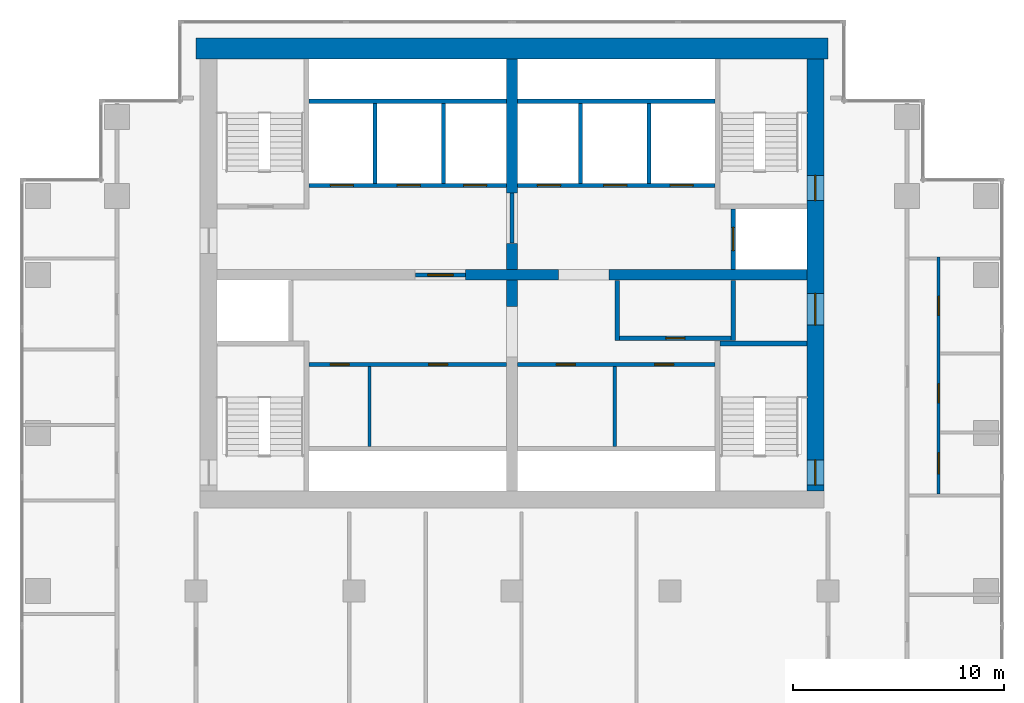
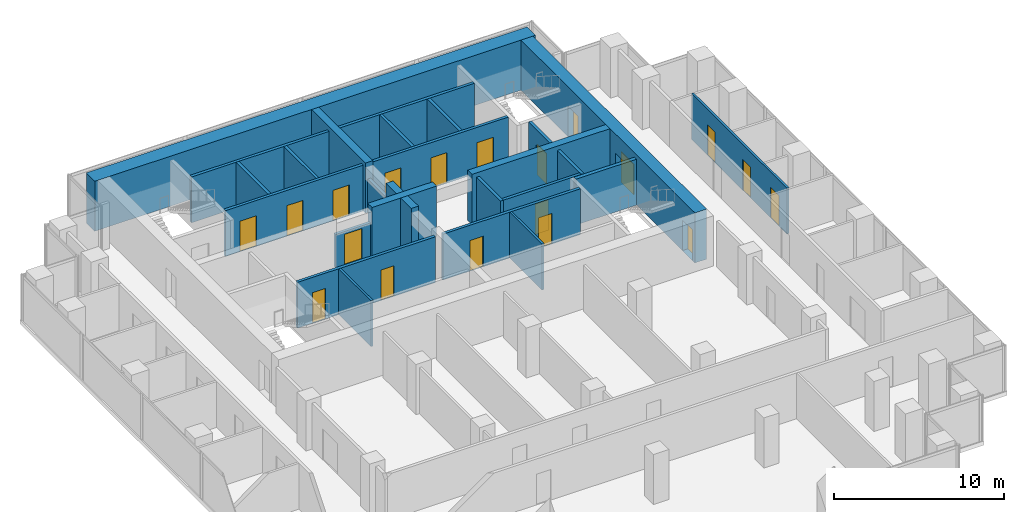
# One storey, part 8 of 10: 27 walls, 19 doors, 19 openings.
"""IFC4 building model written with IfcOpenShell, lengths in metres."""

from ifc_helpers import new_model, si_unit, direction, frame, frame_2d, origin, place, context, subcontext, project, spatial, rectangle, extrude, material, layer, layer_set, type_object, element, fill, save


model = new_model("IFC4")

# Units and contexts
model_context = context("Model", 3, precision=1e-05, world=origin(), true_north=direction((0.0, 1.0)))
body_context = subcontext(model_context, "Body", "Model", "MODEL_VIEW")
ifc_project = project(units=[si_unit("LENGTHUNIT", "METRE"), si_unit("AREAUNIT", "SQUARE_METRE"), si_unit("VOLUMEUNIT", "CUBIC_METRE"), si_unit("PLANEANGLEUNIT", "RADIAN"), si_unit("MASSUNIT", "GRAM", prefix="KILO")], contexts=[model_context])

# Site, building, storey
site_placement = place(None, origin())
site = spatial("IfcSite", under=ifc_project, at=site_placement, CompositionType="ELEMENT")
building_placement = place(site_placement, origin())
building = spatial("IfcBuilding", under=site, at=building_placement, Name="Pilkhan Gate Tower", CompositionType="ELEMENT")
storey_placement = place(building_placement, frame((0.0, 0.0, 176.5)))
storey = spatial("IfcBuildingStorey", under=building, at=storey_placement, Name="L45", CompositionType="ELEMENT", Elevation=176.5)

# Wall
ifc_material_1 = material(Name="Concrete C60/75", Category="concrete")
ifc_layer_1 = layer(ifc_material_1, 1.0)
ifc_layer_set_1 = layer_set([ifc_layer_1], Name="Core wall CW1000 C60/75")
wall_type_1 = type_object("IfcWallType", Name="Core wall CW1000 C60/75", PredefinedType="SHEAR", material=ifc_layer_set_1)
wall_1_placement = place(storey_placement, frame((90.0, 93.25, 0.0), z_axis=(0.0, 0.0, 1.0), x_axis=(-1.0, 0.0, 0.0)))
element("IfcWall", 1, at=wall_1_placement, inside=storey, type_object=wall_type_1, Name="Core wall N L45", PredefinedType="SHEAR", context=body_context, shape_type="SweptSolid", body=[
    extrude(rectangle(XDim=30.0, YDim=1.0, at=frame_2d((15.0, 0.0))), origin(), (0.0, 0.0, 1.0), 3.60009765625),
])

# Wall, openings, doors
ifc_layer_2 = layer(ifc_material_1, 0.800048828125)
ifc_layer_set_2 = layer_set([ifc_layer_2], Name="Core wall CW800 C60/75")
wall_type_2 = type_object("IfcWallType", Name="Core wall CW800 C60/75", PredefinedType="SHEAR", material=ifc_layer_set_2)
wall_2_placement = place(storey_placement, frame((89.39990234375, 72.25, 0.0), z_axis=(0.0, 0.0, 1.0), x_axis=(0.0, 1.0, 0.0)))
wall_2 = element("IfcWall", 2, at=wall_2_placement, inside=storey, type_object=wall_type_2, Name="Core wall E L45", PredefinedType="SHEAR", context=body_context, shape_type="SweptSolid", body=[
    extrude(rectangle(XDim=20.5, YDim=0.800048828125, at=frame_2d((10.25, 0.0))), origin(), (0.0, 0.0, 1.0), 3.60009765625),
])
opening_1_placement = place(wall_2_placement, frame((0.27490234375, 0.0, 0.0)))
opening_1 = element("IfcOpeningElement", 3, at=opening_1_placement, cuts=wall_2, Name="Opening L45-03", PredefinedType="OPENING", context=body_context, shape_type="SweptSolid", body=[
    extrude(rectangle(XDim=1.199951171875, YDim=2.199951171875, at=frame_2d((0.60009765625, 1.10009765625))), frame((0.0, 0.409912109375, 0.0), z_axis=(0.0, -1.0, 0.0), x_axis=(1.0, 0.0, 0.0)), (0.0, 0.0, 1.0), 0.820068359375),
])
opening_2_placement = place(wall_2_placement, frame((13.77490234375, 0.0, 0.0)))
opening_2 = element("IfcOpeningElement", 4, at=opening_2_placement, cuts=wall_2, Name="Opening L45-05", PredefinedType="OPENING", context=body_context, shape_type="SweptSolid", body=[
    extrude(rectangle(XDim=1.199951171875, YDim=2.199951171875, at=frame_2d((0.60009765625, 1.10009765625))), frame((0.0, 0.409912109375, 0.0), z_axis=(0.0, -1.0, 0.0), x_axis=(1.0, 0.0, 0.0)), (0.0, 0.0, 1.0), 0.820068359375),
])
opening_3_placement = place(wall_2_placement, frame((7.875, 0.0, 0.0)))
opening_3 = element("IfcOpeningElement", 5, at=opening_3_placement, cuts=wall_2, Name="Opening L45-08", PredefinedType="OPENING", context=body_context, shape_type="SweptSolid", body=[
    extrude(rectangle(XDim=1.5, YDim=2.199951171875, at=frame_2d((0.75, 1.10009765625))), frame((0.0, 0.409912109375, 0.0), z_axis=(0.0, -1.0, 0.0), x_axis=(1.0, 0.0, 0.0)), (0.0, 0.0, 1.0), 0.820068359375),
])
ifc_material_2 = material(Name="Steel framed glazed door, 60 minute fire resisting", Category="steel")
door_type_1 = type_object("IfcDoorType", Name="Lobby door D09 1500x2200", OperationType="DOUBLE_DOOR_SINGLE_SWING", PredefinedType="DOOR", material=ifc_material_2)
door_1_placement = place(opening_3_placement, origin())
door_1 = element("IfcDoor", 6, at=door_1_placement, inside=storey, type_object=door_type_1, Name="Core door", OperationType="DOUBLE_DOOR_SINGLE_SWING", OverallHeight=2.199951171875, OverallWidth=1.5, PredefinedType="DOOR", context=body_context, shape_type="SweptSolid", body=[
    extrude(rectangle(XDim=1.5, YDim=2.199951171875, at=frame_2d((0.75, 1.10009765625))), frame((0.0, 0.02490234375, 0.0), z_axis=(0.0, -1.0, 0.0), x_axis=(1.0, 0.0, 0.0)), (0.0, 0.0, 1.0), 0.050048828125),
])
fill(opening_3, door_1)
ifc_material_3 = material(Name="Steel door, 120 minute fire resisting, panic bar", Category="steel")
door_type_2 = type_object("IfcDoorType", Name="Stair door D11 1200x2200", OperationType="SINGLE_SWING_LEFT", PredefinedType="DOOR", material=ifc_material_3)
door_2_placement = place(opening_1_placement, origin())
door_2 = element("IfcDoor", 7, at=door_2_placement, inside=storey, type_object=door_type_2, Name="Stair ST1 door", OperationType="SINGLE_SWING_LEFT", OverallHeight=2.199951171875, OverallWidth=1.199951171875, PredefinedType="DOOR", context=body_context, shape_type="SweptSolid", body=[
    extrude(rectangle(XDim=1.199951171875, YDim=2.199951171875, at=frame_2d((0.60009765625, 1.10009765625))), frame((0.0, 0.02490234375, 0.0), z_axis=(0.0, -1.0, 0.0), x_axis=(1.0, 0.0, 0.0)), (0.0, 0.0, 1.0), 0.050048828125),
])
fill(opening_1, door_2)
door_3_placement = place(opening_2_placement, origin())
door_3 = element("IfcDoor", 8, at=door_3_placement, inside=storey, type_object=door_type_2, Name="Stair ST4 door", OperationType="SINGLE_SWING_LEFT", OverallHeight=2.199951171875, OverallWidth=1.199951171875, PredefinedType="DOOR", context=body_context, shape_type="SweptSolid", body=[
    extrude(rectangle(XDim=1.199951171875, YDim=2.199951171875, at=frame_2d((0.60009765625, 1.10009765625))), frame((0.0, 0.02490234375, 0.0), z_axis=(0.0, -1.0, 0.0), x_axis=(1.0, 0.0, 0.0)), (0.0, 0.0, 1.0), 0.050048828125),
])
fill(opening_2, door_3)

ifc_material_4 = material(Name="Dense blockwork", Category="masonry")
ifc_layer_3 = layer(ifc_material_4, 0.199951171875)
ifc_layer_set_3 = layer_set([ifc_layer_3], Name="Lobby wall LW200")
wall_type_3 = type_object("IfcWallType", Name="Lobby wall LW200", PredefinedType="PARTITIONING", material=ifc_layer_set_3)
wall_3_placement = place(storey_placement, frame((65.375, 78.25, 0.0), z_axis=(0.0, 0.0, 1.0), x_axis=(1.0, 0.0, 0.0)))
wall_3 = element("IfcWall", 9, at=wall_3_placement, inside=storey, type_object=wall_type_3, Name="Partition L45", PredefinedType="PARTITIONING", context=body_context, shape_type="SweptSolid", body=[
    extrude(rectangle(XDim=9.364990234375, YDim=0.199951171875, at=frame_2d((4.6826171875, 0.0))), origin(), (0.0, 0.0, 1.0), 3.300048828125),
])
opening_4_placement = place(wall_3_placement, frame((1.0, 0.0, 0.0)))
opening_4 = element("IfcOpeningElement", 10, at=opening_4_placement, cuts=wall_3, Name="Opening L45-11", PredefinedType="OPENING", context=body_context, shape_type="SweptSolid", body=[
    extrude(rectangle(XDim=0.89990234375, YDim=2.199951171875, at=frame_2d((0.449951171875, 1.10009765625))), frame((0.0, 0.10986328125, 0.0), z_axis=(0.0, -1.0, 0.0), x_axis=(1.0, 0.0, 0.0)), (0.0, 0.0, 1.0), 0.219970703125),
])
opening_5_placement = place(wall_3_placement, frame((5.6650390625, 0.0, 0.0)))
opening_5 = element("IfcOpeningElement", 11, at=opening_5_placement, cuts=wall_3, Name="Opening L45-12", PredefinedType="OPENING", context=body_context, shape_type="SweptSolid", body=[
    extrude(rectangle(XDim=0.89990234375, YDim=2.199951171875, at=frame_2d((0.449951171875, 1.10009765625))), frame((0.0, 0.10986328125, 0.0), z_axis=(0.0, -1.0, 0.0), x_axis=(1.0, 0.0, 0.0)), (0.0, 0.0, 1.0), 0.219970703125),
])
ifc_material_5 = material(Name="Timber flush door, 60 minute fire resisting, self-closing", Category="wood")
door_type_3 = type_object("IfcDoorType", Name="Store door D05 900x2200", OperationType="SINGLE_SWING_LEFT", PredefinedType="DOOR", material=ifc_material_5)
door_4_placement = place(opening_4_placement, origin())
door_4 = element("IfcDoor", 12, at=door_4_placement, inside=storey, type_object=door_type_3, Name="Store door", OperationType="SINGLE_SWING_LEFT", OverallHeight=2.199951171875, OverallWidth=0.89990234375, PredefinedType="DOOR", context=body_context, shape_type="SweptSolid", body=[
    extrude(rectangle(XDim=0.89990234375, YDim=2.199951171875, at=frame_2d((0.449951171875, 1.10009765625))), frame((0.0, 0.02490234375, 0.0), z_axis=(0.0, -1.0, 0.0), x_axis=(1.0, 0.0, 0.0)), (0.0, 0.0, 1.0), 0.050048828125),
])
fill(opening_4, door_4)
door_5_placement = place(opening_5_placement, origin())
door_5 = element("IfcDoor", 13, at=door_5_placement, inside=storey, type_object=door_type_3, Name="Store door", OperationType="SINGLE_SWING_RIGHT", OverallHeight=2.199951171875, OverallWidth=0.89990234375, PredefinedType="DOOR", context=body_context, shape_type="SweptSolid", body=[
    extrude(rectangle(XDim=0.89990234375, YDim=2.199951171875, at=frame_2d((0.449951171875, 1.10009765625))), frame((0.0, 0.02490234375, 0.0), z_axis=(0.0, -1.0, 0.0), x_axis=(1.0, 0.0, 0.0)), (0.0, 0.0, 1.0), 0.050048828125),
])
fill(opening_5, door_5)

wall_4_placement = place(storey_placement, frame((75.260009765625, 78.25, 0.0), z_axis=(0.0, 0.0, 1.0), x_axis=(1.0, 0.0, 0.0)))
wall_4 = element("IfcWall", 14, at=wall_4_placement, inside=storey, type_object=wall_type_3, Name="Partition L45", PredefinedType="PARTITIONING", context=body_context, shape_type="SweptSolid", body=[
    extrude(rectangle(XDim=9.364990234375, YDim=0.199951171875, at=frame_2d((4.6826171875, 0.0))), origin(), (0.0, 0.0, 1.0), 3.300048828125),
])
opening_6_placement = place(wall_4_placement, frame((1.85009765625, 0.0, 0.0)))
opening_6 = element("IfcOpeningElement", 15, at=opening_6_placement, cuts=wall_4, Name="Opening L45-13", PredefinedType="OPENING", context=body_context, shape_type="SweptSolid", body=[
    extrude(rectangle(XDim=0.89990234375, YDim=2.199951171875, at=frame_2d((0.449951171875, 1.10009765625))), frame((0.0, 0.10986328125, 0.0), z_axis=(0.0, -1.0, 0.0), x_axis=(1.0, 0.0, 0.0)), (0.0, 0.0, 1.0), 0.219970703125),
])
opening_7_placement = place(wall_4_placement, frame((6.514892578125, 0.0, 0.0)))
opening_7 = element("IfcOpeningElement", 16, at=opening_7_placement, cuts=wall_4, Name="Opening L45-14", PredefinedType="OPENING", context=body_context, shape_type="SweptSolid", body=[
    extrude(rectangle(XDim=0.89990234375, YDim=2.199951171875, at=frame_2d((0.449951171875, 1.10009765625))), frame((0.0, 0.10986328125, 0.0), z_axis=(0.0, -1.0, 0.0), x_axis=(1.0, 0.0, 0.0)), (0.0, 0.0, 1.0), 0.219970703125),
])
door_6_placement = place(opening_6_placement, origin())
door_6 = element("IfcDoor", 17, at=door_6_placement, inside=storey, type_object=door_type_3, Name="Store door", OperationType="SINGLE_SWING_LEFT", OverallHeight=2.199951171875, OverallWidth=0.89990234375, PredefinedType="DOOR", context=body_context, shape_type="SweptSolid", body=[
    extrude(rectangle(XDim=0.89990234375, YDim=2.199951171875, at=frame_2d((0.449951171875, 1.10009765625))), frame((0.0, 0.02490234375, 0.0), z_axis=(0.0, -1.0, 0.0), x_axis=(1.0, 0.0, 0.0)), (0.0, 0.0, 1.0), 0.050048828125),
])
fill(opening_6, door_6)
door_7_placement = place(opening_7_placement, origin())
door_7 = element("IfcDoor", 18, at=door_7_placement, inside=storey, type_object=door_type_3, Name="Store door", OperationType="SINGLE_SWING_LEFT", OverallHeight=2.199951171875, OverallWidth=0.89990234375, PredefinedType="DOOR", context=body_context, shape_type="SweptSolid", body=[
    extrude(rectangle(XDim=0.89990234375, YDim=2.199951171875, at=frame_2d((0.449951171875, 1.10009765625))), frame((0.0, 0.02490234375, 0.0), z_axis=(0.0, -1.0, 0.0), x_axis=(1.0, 0.0, 0.0)), (0.0, 0.0, 1.0), 0.050048828125),
])
fill(opening_7, door_7)

# Wall, opening, door
wall_5_placement = place(storey_placement, frame((80.10009765625, 79.5, 0.0), z_axis=(0.0, 0.0, 1.0), x_axis=(1.0, 0.0, 0.0)))
wall_5 = element("IfcWall", 19, at=wall_5_placement, inside=storey, type_object=wall_type_3, Name="Partition L45", PredefinedType="PARTITIONING", context=body_context, shape_type="SweptSolid", body=[
    extrude(rectangle(XDim=5.2998046875, YDim=0.199951171875, at=frame_2d((2.64990234375, 0.0))), origin(), (0.0, 0.0, 1.0), 3.300048828125),
])
opening_8_placement = place(wall_5_placement, frame((2.199951171875, 0.0, 0.0)))
opening_8 = element("IfcOpeningElement", 20, at=opening_8_placement, cuts=wall_5, Name="Opening L45-09", PredefinedType="OPENING", context=body_context, shape_type="SweptSolid", body=[
    extrude(rectangle(XDim=0.89990234375, YDim=2.199951171875, at=frame_2d((0.449951171875, 1.10009765625))), frame((0.0, 0.10986328125, 0.0), z_axis=(0.0, -1.0, 0.0), x_axis=(1.0, 0.0, 0.0)), (0.0, 0.0, 1.0), 0.219970703125),
])
door_8_placement = place(opening_8_placement, origin())
door_8 = element("IfcDoor", 21, at=door_8_placement, inside=storey, type_object=door_type_3, Name="Store door", OperationType="SINGLE_SWING_LEFT", OverallHeight=2.199951171875, OverallWidth=0.89990234375, PredefinedType="DOOR", context=body_context, shape_type="SweptSolid", body=[
    extrude(rectangle(XDim=0.89990234375, YDim=2.199951171875, at=frame_2d((0.449951171875, 1.10009765625))), frame((0.0, 0.02490234375, 0.0), z_axis=(0.0, -1.0, 0.0), x_axis=(1.0, 0.0, 0.0)), (0.0, 0.0, 1.0), 0.050048828125),
])
fill(opening_8, door_8)

wall_6_placement = place(storey_placement, frame((70.409912109375, 82.5, 0.0), z_axis=(0.0, 0.0, 1.0), x_axis=(1.0, 0.0, 0.0)))
wall_6 = element("IfcWall", 22, at=wall_6_placement, inside=storey, type_object=wall_type_3, Name="Partition L45", PredefinedType="PARTITIONING", context=body_context, shape_type="SweptSolid", body=[
    extrude(rectangle(XDim=2.380126953125, YDim=0.199951171875, at=frame_2d((1.18994140625, 0.0))), origin(), (0.0, 0.0, 1.0), 2.39990234375),
])
opening_9_placement = place(wall_6_placement, frame((0.60009765625, 0.0, 0.0)))
opening_9 = element("IfcOpeningElement", 23, at=opening_9_placement, cuts=wall_6, Name="Opening L45-01", PredefinedType="OPENING", context=body_context, shape_type="SweptSolid", body=[
    extrude(rectangle(XDim=1.199951171875, YDim=2.199951171875, at=frame_2d((0.60009765625, 1.10009765625))), frame((0.0, 0.10986328125, 0.0), z_axis=(0.0, -1.0, 0.0), x_axis=(1.0, 0.0, 0.0)), (0.0, 0.0, 1.0), 0.219970703125),
])
ifc_material_6 = material(Name="Steel door, 120 minute fire resisting, self-closing", Category="steel")
door_type_4 = type_object("IfcDoorType", Name="Firefighting lobby door D10 1200x2200", OperationType="SINGLE_SWING_LEFT", PredefinedType="DOOR", material=ifc_material_6)
door_9_placement = place(opening_9_placement, origin())
door_9 = element("IfcDoor", 24, at=door_9_placement, inside=storey, type_object=door_type_4, Name="Firefighting lobby door", OperationType="SINGLE_SWING_LEFT", OverallHeight=2.199951171875, OverallWidth=1.199951171875, PredefinedType="DOOR", context=body_context, shape_type="SweptSolid", body=[
    extrude(rectangle(XDim=1.199951171875, YDim=2.199951171875, at=frame_2d((0.60009765625, 1.10009765625))), frame((0.0, 0.02490234375, 0.0), z_axis=(0.0, -1.0, 0.0), x_axis=(1.0, 0.0, 0.0)), (0.0, 0.0, 1.0), 0.050048828125),
])
fill(opening_9, door_9)

# Walls
wall_7_placement = place(storey_placement, frame((75.0, 84.010009765625, 0.0), z_axis=(0.0, 0.0, 1.0), x_axis=(0.0, 1.0, 0.0)))
element("IfcWall", 25, at=wall_7_placement, inside=storey, type_object=wall_type_3, Name="Partition L45", PredefinedType="PARTITIONING", context=body_context, shape_type="SweptSolid", body=[
    extrude(rectangle(XDim=2.3798828125, YDim=0.199951171875, at=frame_2d((1.18994140625, 0.0))), origin(), (0.0, 0.0, 1.0), 2.39990234375),
])
for number, where, z_axis, x_axis, name in (
    (26, (80.0, 79.39990234375, 0.0), (0.0, 0.0, 1.0), (0.0, 1.0, 0.0), "Partition L45"),
    (27, (85.5, 79.39990234375, 0.0), (0.0, 0.0, 1.0), (0.0, 1.0, 0.0), "Partition L45"),
):
    element("IfcWall", number, at=place(storey_placement, frame(where, z_axis=z_axis, x_axis=x_axis)), inside=storey, type_object=wall_type_3, Name=name, PredefinedType="PARTITIONING", context=body_context, shape_type="SweptSolid", body=[
        extrude(rectangle(XDim=2.840087890625, YDim=0.199951171875, at=frame_2d((1.419921875, 0.0))), origin(), (0.0, 0.0, 1.0), 3.300048828125),
    ])
ifc_material_7 = material(Name="Blockwork partition, plastered both sides", Category="masonry")
ifc_layer_4 = layer(ifc_material_7, 0.14990234375)
ifc_layer_set_4 = layer_set([ifc_layer_4], Name="Partition PW150")
wall_type_4 = type_object("IfcWallType", Name="Partition PW150", PredefinedType="PARTITIONING", material=ifc_layer_set_4)
for number, where, z_axis, x_axis, name in (
    (28, (68.239990234375, 74.35009765625, 0.0), (0.0, 0.0, 1.0), (0.0, 1.0, 0.0), "Partition L45"),
    (29, (79.875, 74.35009765625, 0.0), (0.0, 0.0, 1.0), (0.0, 1.0, 0.0), "Partition L45"),
):
    element("IfcWall", number, at=place(storey_placement, frame(where, z_axis=z_axis, x_axis=x_axis)), inside=storey, type_object=wall_type_4, Name=name, PredefinedType="PARTITIONING", context=body_context, shape_type="SweptSolid", body=[
        extrude(rectangle(XDim=3.7998046875, YDim=0.14990234375, at=frame_2d((1.89990234375, 0.0))), origin(), (0.0, 0.0, 1.0), 3.300048828125),
    ])

# Wall, openings, doors
wall_8_placement = place(storey_placement, frame((95.25, 72.10498046875, 0.0), z_axis=(0.0, 0.0, 1.0), x_axis=(0.0, 1.0, 0.0)))
wall_8 = element("IfcWall", 30, at=wall_8_placement, inside=storey, type_object=wall_type_4, Name="Partition L45", PredefinedType="PARTITIONING", context=body_context, shape_type="SweptSolid", body=[
    extrude(rectangle(XDim=11.25, YDim=0.14990234375, at=frame_2d((5.625, 0.0))), origin(), (0.0, 0.0, 1.0), 3.300048828125),
])
opening_10_placement = place(wall_8_placement, frame((0.949951171875, 0.0, 0.0)))
opening_10 = element("IfcOpeningElement", 31, at=opening_10_placement, cuts=wall_8, Name="Opening L45-23", PredefinedType="OPENING", context=body_context, shape_type="SweptSolid", body=[
    extrude(rectangle(XDim=1.0, YDim=2.199951171875, at=frame_2d((0.5, 1.10009765625))), frame((0.0, 0.0849609375, 0.0), z_axis=(0.0, -1.0, 0.0), x_axis=(1.0, 0.0, 0.0)), (0.0, 0.0, 1.0), 0.169921875),
])
opening_11_placement = place(wall_8_placement, frame((4.324951171875, 0.0, 0.0)))
opening_11 = element("IfcOpeningElement", 32, at=opening_11_placement, cuts=wall_8, Name="Opening L45-24", PredefinedType="OPENING", context=body_context, shape_type="SweptSolid", body=[
    extrude(rectangle(XDim=0.89990234375, YDim=2.199951171875, at=frame_2d((0.449951171875, 1.10009765625))), frame((0.0, 0.0849609375, 0.0), z_axis=(0.0, -1.0, 0.0), x_axis=(1.0, 0.0, 0.0)), (0.0, 0.0, 1.0), 0.169921875),
])
opening_12_placement = place(wall_8_placement, frame((8.47509765625, 0.0, 0.0)))
opening_12 = element("IfcOpeningElement", 33, at=opening_12_placement, cuts=wall_8, Name="Opening L45-25", PredefinedType="OPENING", context=body_context, shape_type="SweptSolid", body=[
    extrude(rectangle(XDim=0.89990234375, YDim=2.199951171875, at=frame_2d((0.449951171875, 1.10009765625))), frame((0.0, 0.0849609375, 0.0), z_axis=(0.0, -1.0, 0.0), x_axis=(1.0, 0.0, 0.0)), (0.0, 0.0, 1.0), 0.169921875),
])
ifc_material_8 = material(Name="Timber flush door, outward opening, 30 minute fire resisting", Category="wood")
door_type_5 = type_object("IfcDoorType", Name="Accessible toilet door D07 1000x2200", OperationType="SINGLE_SWING_LEFT", PredefinedType="DOOR", material=ifc_material_8)
door_10_placement = place(opening_10_placement, origin())
door_10 = element("IfcDoor", 34, at=door_10_placement, inside=storey, type_object=door_type_5, Name="Accessible toilet door", OperationType="SINGLE_SWING_LEFT", OverallHeight=2.199951171875, OverallWidth=1.0, PredefinedType="DOOR", context=body_context, shape_type="SweptSolid", body=[
    extrude(rectangle(XDim=1.0, YDim=2.199951171875, at=frame_2d((0.5, 1.10009765625))), frame((0.0, 0.02490234375, 0.0), z_axis=(0.0, -1.0, 0.0), x_axis=(1.0, 0.0, 0.0)), (0.0, 0.0, 1.0), 0.050048828125),
])
fill(opening_10, door_10)
ifc_material_9 = material(Name="Timber flush door, 30 minute fire resisting", Category="wood")
door_type_6 = type_object("IfcDoorType", Name="Toilet door D06 900x2200", OperationType="SINGLE_SWING_LEFT", PredefinedType="DOOR", material=ifc_material_9)
door_11_placement = place(opening_11_placement, origin())
door_11 = element("IfcDoor", 35, at=door_11_placement, inside=storey, type_object=door_type_6, Name="Toilet door", OperationType="SINGLE_SWING_LEFT", OverallHeight=2.199951171875, OverallWidth=0.89990234375, PredefinedType="DOOR", context=body_context, shape_type="SweptSolid", body=[
    extrude(rectangle(XDim=0.89990234375, YDim=2.199951171875, at=frame_2d((0.449951171875, 1.10009765625))), frame((0.0, 0.02490234375, 0.0), z_axis=(0.0, -1.0, 0.0), x_axis=(1.0, 0.0, 0.0)), (0.0, 0.0, 1.0), 0.050048828125),
])
fill(opening_11, door_11)
door_12_placement = place(opening_12_placement, origin())
door_12 = element("IfcDoor", 36, at=door_12_placement, inside=storey, type_object=door_type_6, Name="Toilet door", OperationType="SINGLE_SWING_LEFT", OverallHeight=2.199951171875, OverallWidth=0.89990234375, PredefinedType="DOOR", context=body_context, shape_type="SweptSolid", body=[
    extrude(rectangle(XDim=0.89990234375, YDim=2.199951171875, at=frame_2d((0.449951171875, 1.10009765625))), frame((0.0, 0.02490234375, 0.0), z_axis=(0.0, -1.0, 0.0), x_axis=(1.0, 0.0, 0.0)), (0.0, 0.0, 1.0), 0.050048828125),
])
fill(opening_12, door_12)

ifc_material_10 = material(Name="Reinforced blockwork shaft wall, 120 minute fire resisting", Category="masonry")
ifc_layer_5 = layer(ifc_material_10, 0.199951171875)
ifc_layer_set_5 = layer_set([ifc_layer_5], Name="Shaft wall SW200")
wall_type_5 = type_object("IfcWallType", Name="Shaft wall SW200", PredefinedType="PARTITIONING", material=ifc_layer_set_5)
wall_9_placement = place(storey_placement, frame((65.375, 86.75, 0.0), z_axis=(0.0, 0.0, 1.0), x_axis=(1.0, 0.0, 0.0)))
wall_9 = element("IfcWall", 37, at=wall_9_placement, inside=storey, type_object=wall_type_5, Name="Partition L45", PredefinedType="PARTITIONING", context=body_context, shape_type="SweptSolid", body=[
    extrude(rectangle(XDim=9.364990234375, YDim=0.199951171875, at=frame_2d((4.6826171875, 0.0))), origin(), (0.0, 0.0, 1.0), 3.300048828125),
])
opening_13_placement = place(wall_9_placement, frame((1.0, 0.0, 0.0)))
opening_13 = element("IfcOpeningElement", 38, at=opening_13_placement, cuts=wall_9, Name="Opening LD", PredefinedType="OPENING", context=body_context, shape_type="SweptSolid", body=[
    extrude(rectangle(XDim=1.10009765625, YDim=2.199951171875, at=frame_2d((0.550048828125, 1.10009765625))), frame((0.0, 0.10986328125, 0.0), z_axis=(0.0, -1.0, 0.0), x_axis=(1.0, 0.0, 0.0)), (0.0, 0.0, 1.0), 0.219970703125),
])
opening_14_placement = place(wall_9_placement, frame((4.175048828125, 0.0, 0.0)))
opening_14 = element("IfcOpeningElement", 39, at=opening_14_placement, cuts=wall_9, Name="Opening LD", PredefinedType="OPENING", context=body_context, shape_type="SweptSolid", body=[
    extrude(rectangle(XDim=1.10009765625, YDim=2.199951171875, at=frame_2d((0.550048828125, 1.10009765625))), frame((0.0, 0.10986328125, 0.0), z_axis=(0.0, -1.0, 0.0), x_axis=(1.0, 0.0, 0.0)), (0.0, 0.0, 1.0), 0.219970703125),
])
opening_15_placement = place(wall_9_placement, frame((7.324951171875, 0.0, 0.0)))
opening_15 = element("IfcOpeningElement", 40, at=opening_15_placement, cuts=wall_9, Name="Opening LD", PredefinedType="OPENING", context=body_context, shape_type="SweptSolid", body=[
    extrude(rectangle(XDim=1.10009765625, YDim=2.199951171875, at=frame_2d((0.550048828125, 1.10009765625))), frame((0.0, 0.10986328125, 0.0), z_axis=(0.0, -1.0, 0.0), x_axis=(1.0, 0.0, 0.0)), (0.0, 0.0, 1.0), 0.219970703125),
])
ifc_material_11 = material(Name="Stainless steel centre-opening landing door, 120 minute fire resisting", Category="steel")
door_type_7 = type_object("IfcDoorType", Name="Lift landing door LD 1100x2200", OperationType="DOUBLE_DOOR_SLIDING", PredefinedType="DOOR", material=ifc_material_11)
door_13_placement = place(opening_13_placement, origin())
door_13 = element("IfcDoor", 41, at=door_13_placement, inside=storey, type_object=door_type_7, Name="Landing door FF1", OperationType="DOUBLE_DOOR_SLIDING", OverallHeight=2.199951171875, OverallWidth=1.10009765625, PredefinedType="DOOR", context=body_context, shape_type="SweptSolid", body=[
    extrude(rectangle(XDim=1.10009765625, YDim=2.199951171875, at=frame_2d((0.550048828125, 1.10009765625))), frame((0.0, 0.02490234375, 0.0), z_axis=(0.0, -1.0, 0.0), x_axis=(1.0, 0.0, 0.0)), (0.0, 0.0, 1.0), 0.050048828125),
])
fill(opening_13, door_13)
door_14_placement = place(opening_14_placement, origin())
door_14 = element("IfcDoor", 42, at=door_14_placement, inside=storey, type_object=door_type_7, Name="Landing door FF2", OperationType="DOUBLE_DOOR_SLIDING", OverallHeight=2.199951171875, OverallWidth=1.10009765625, PredefinedType="DOOR", context=body_context, shape_type="SweptSolid", body=[
    extrude(rectangle(XDim=1.10009765625, YDim=2.199951171875, at=frame_2d((0.550048828125, 1.10009765625))), frame((0.0, 0.02490234375, 0.0), z_axis=(0.0, -1.0, 0.0), x_axis=(1.0, 0.0, 0.0)), (0.0, 0.0, 1.0), 0.050048828125),
])
fill(opening_14, door_14)
door_15_placement = place(opening_15_placement, origin())
door_15 = element("IfcDoor", 43, at=door_15_placement, inside=storey, type_object=door_type_7, Name="Landing door SV1", OperationType="DOUBLE_DOOR_SLIDING", OverallHeight=2.199951171875, OverallWidth=1.10009765625, PredefinedType="DOOR", context=body_context, shape_type="SweptSolid", body=[
    extrude(rectangle(XDim=1.10009765625, YDim=2.199951171875, at=frame_2d((0.550048828125, 1.10009765625))), frame((0.0, 0.02490234375, 0.0), z_axis=(0.0, -1.0, 0.0), x_axis=(1.0, 0.0, 0.0)), (0.0, 0.0, 1.0), 0.050048828125),
])
fill(opening_15, door_15)

wall_10_placement = place(storey_placement, frame((75.260009765625, 86.75, 0.0), z_axis=(0.0, 0.0, 1.0), x_axis=(1.0, 0.0, 0.0)))
wall_10 = element("IfcWall", 44, at=wall_10_placement, inside=storey, type_object=wall_type_5, Name="Partition L45", PredefinedType="PARTITIONING", context=body_context, shape_type="SweptSolid", body=[
    extrude(rectangle(XDim=9.364990234375, YDim=0.199951171875, at=frame_2d((4.6826171875, 0.0))), origin(), (0.0, 0.0, 1.0), 3.300048828125),
])
opening_16_placement = place(wall_10_placement, frame((0.949951171875, 0.0, 0.0)))
opening_16 = element("IfcOpeningElement", 45, at=opening_16_placement, cuts=wall_10, Name="Opening LD", PredefinedType="OPENING", context=body_context, shape_type="SweptSolid", body=[
    extrude(rectangle(XDim=1.10009765625, YDim=2.199951171875, at=frame_2d((0.550048828125, 1.10009765625))), frame((0.0, 0.10986328125, 0.0), z_axis=(0.0, -1.0, 0.0), x_axis=(1.0, 0.0, 0.0)), (0.0, 0.0, 1.0), 0.219970703125),
])
opening_17_placement = place(wall_10_placement, frame((4.090087890625, 0.0, 0.0)))
opening_17 = element("IfcOpeningElement", 46, at=opening_17_placement, cuts=wall_10, Name="Opening LD", PredefinedType="OPENING", context=body_context, shape_type="SweptSolid", body=[
    extrude(rectangle(XDim=1.10009765625, YDim=2.199951171875, at=frame_2d((0.550048828125, 1.10009765625))), frame((0.0, 0.10986328125, 0.0), z_axis=(0.0, -1.0, 0.0), x_axis=(1.0, 0.0, 0.0)), (0.0, 0.0, 1.0), 0.219970703125),
])
opening_18_placement = place(wall_10_placement, frame((7.239990234375, 0.0, 0.0)))
opening_18 = element("IfcOpeningElement", 47, at=opening_18_placement, cuts=wall_10, Name="Opening LD", PredefinedType="OPENING", context=body_context, shape_type="SweptSolid", body=[
    extrude(rectangle(XDim=1.10009765625, YDim=2.199951171875, at=frame_2d((0.550048828125, 1.10009765625))), frame((0.0, 0.10986328125, 0.0), z_axis=(0.0, -1.0, 0.0), x_axis=(1.0, 0.0, 0.0)), (0.0, 0.0, 1.0), 0.219970703125),
])
door_16_placement = place(opening_16_placement, origin())
door_16 = element("IfcDoor", 48, at=door_16_placement, inside=storey, type_object=door_type_7, Name="Landing door HR1", OperationType="DOUBLE_DOOR_SLIDING", OverallHeight=2.199951171875, OverallWidth=1.10009765625, PredefinedType="DOOR", context=body_context, shape_type="SweptSolid", body=[
    extrude(rectangle(XDim=1.10009765625, YDim=2.199951171875, at=frame_2d((0.550048828125, 1.10009765625))), frame((0.0, 0.02490234375, 0.0), z_axis=(0.0, -1.0, 0.0), x_axis=(1.0, 0.0, 0.0)), (0.0, 0.0, 1.0), 0.050048828125),
])
fill(opening_16, door_16)
door_17_placement = place(opening_17_placement, origin())
door_17 = element("IfcDoor", 49, at=door_17_placement, inside=storey, type_object=door_type_7, Name="Landing door HR2", OperationType="DOUBLE_DOOR_SLIDING", OverallHeight=2.199951171875, OverallWidth=1.10009765625, PredefinedType="DOOR", context=body_context, shape_type="SweptSolid", body=[
    extrude(rectangle(XDim=1.10009765625, YDim=2.199951171875, at=frame_2d((0.550048828125, 1.10009765625))), frame((0.0, 0.02490234375, 0.0), z_axis=(0.0, -1.0, 0.0), x_axis=(1.0, 0.0, 0.0)), (0.0, 0.0, 1.0), 0.050048828125),
])
fill(opening_17, door_17)
door_18_placement = place(opening_18_placement, origin())
door_18 = element("IfcDoor", 50, at=door_18_placement, inside=storey, type_object=door_type_7, Name="Landing door HR3", OperationType="DOUBLE_DOOR_SLIDING", OverallHeight=2.199951171875, OverallWidth=1.10009765625, PredefinedType="DOOR", context=body_context, shape_type="SweptSolid", body=[
    extrude(rectangle(XDim=1.10009765625, YDim=2.199951171875, at=frame_2d((0.550048828125, 1.10009765625))), frame((0.0, 0.02490234375, 0.0), z_axis=(0.0, -1.0, 0.0), x_axis=(1.0, 0.0, 0.0)), (0.0, 0.0, 1.0), 0.050048828125),
])
fill(opening_18, door_18)

# Walls
for number, where, z_axis, x_axis, name in (
    (51, (65.375, 90.75, 0.0), (0.0, 0.0, 1.0), (1.0, 0.0, 0.0), "Partition L45"),
    (52, (75.260009765625, 90.75, 0.0), (0.0, 0.0, 1.0), (1.0, 0.0, 0.0), "Partition L45"),
):
    element("IfcWall", number, at=place(storey_placement, frame(where, z_axis=z_axis, x_axis=x_axis)), inside=storey, type_object=wall_type_5, Name=name, PredefinedType="PARTITIONING", context=body_context, shape_type="SweptSolid", body=[
        extrude(rectangle(XDim=9.364990234375, YDim=0.199951171875, at=frame_2d((4.6826171875, 0.0))), origin(), (0.0, 0.0, 1.0), 3.300048828125),
    ])
for number, where, z_axis, x_axis, name in (
    (53, (68.5, 86.85009765625, 0.0), (0.0, 0.0, 1.0), (0.0, 1.0, 0.0), "Partition L45"),
    (54, (71.75, 86.85009765625, 0.0), (0.0, 0.0, 1.0), (0.0, 1.0, 0.0), "Partition L45"),
    (55, (78.25, 86.85009765625, 0.0), (0.0, 0.0, 1.0), (0.0, 1.0, 0.0), "Partition L45"),
    (56, (81.5, 86.85009765625, 0.0), (0.0, 0.0, 1.0), (0.0, 1.0, 0.0), "Partition L45"),
):
    element("IfcWall", number, at=place(storey_placement, frame(where, z_axis=z_axis, x_axis=x_axis)), inside=storey, type_object=wall_type_5, Name=name, PredefinedType="PARTITIONING", context=body_context, shape_type="SweptSolid", body=[
        extrude(rectangle(XDim=3.7998046875, YDim=0.199951171875, at=frame_2d((1.89990234375, 0.0))), origin(), (0.0, 0.0, 1.0), 3.300048828125),
    ])

# Wall, opening, door
wall_11_placement = place(storey_placement, frame((85.5, 82.760009765625, 0.0), z_axis=(0.0, 0.0, 1.0), x_axis=(0.0, 1.0, 0.0)))
wall_11 = element("IfcWall", 57, at=wall_11_placement, inside=storey, type_object=wall_type_5, Name="Partition L45", PredefinedType="PARTITIONING", context=body_context, shape_type="SweptSolid", body=[
    extrude(rectangle(XDim=2.864990234375, YDim=0.199951171875, at=frame_2d((1.4326171875, 0.0))), origin(), (0.0, 0.0, 1.0), 3.300048828125),
])
opening_19_placement = place(wall_11_placement, frame((0.89990234375, 0.0, 0.0)))
opening_19 = element("IfcOpeningElement", 58, at=opening_19_placement, cuts=wall_11, Name="Opening LD", PredefinedType="OPENING", context=body_context, shape_type="SweptSolid", body=[
    extrude(rectangle(XDim=1.10009765625, YDim=2.199951171875, at=frame_2d((0.550048828125, 1.10009765625))), frame((0.0, 0.10986328125, 0.0), z_axis=(0.0, -1.0, 0.0), x_axis=(1.0, 0.0, 0.0)), (0.0, 0.0, 1.0), 0.219970703125),
])
door_19_placement = place(opening_19_placement, origin())
door_19 = element("IfcDoor", 59, at=door_19_placement, inside=storey, type_object=door_type_7, Name="Landing door HR4", OperationType="DOUBLE_DOOR_SLIDING", OverallHeight=2.199951171875, OverallWidth=1.10009765625, PredefinedType="DOOR", context=body_context, shape_type="SweptSolid", body=[
    extrude(rectangle(XDim=1.10009765625, YDim=2.199951171875, at=frame_2d((0.550048828125, 1.10009765625))), frame((0.0, 0.02490234375, 0.0), z_axis=(0.0, -1.0, 0.0), x_axis=(1.0, 0.0, 0.0)), (0.0, 0.0, 1.0), 0.050048828125),
])
fill(opening_19, door_19)

# Walls
ifc_layer_6 = layer(ifc_material_1, 0.5)
ifc_layer_set_6 = layer_set([ifc_layer_6], Name="Spine wall SW500 C60/75")
wall_type_6 = type_object("IfcWallType", Name="Spine wall SW500 C60/75", PredefinedType="SHEAR", material=ifc_layer_set_6)
wall_12_placement = place(storey_placement, frame((72.800048828125, 82.5, 0.0), z_axis=(0.0, 0.0, 1.0), x_axis=(1.0, 0.0, 0.0)))
element("IfcWall", 60, at=wall_12_placement, inside=storey, type_object=wall_type_6, Name="Spine wall SP-EW2 L45", PredefinedType="SHEAR", context=body_context, shape_type="SweptSolid", body=[
    extrude(rectangle(XDim=4.39990234375, YDim=0.5, at=frame_2d((2.199951171875, 0.0))), origin(), (0.0, 0.0, 1.0), 3.60009765625),
])
wall_13_placement = place(storey_placement, frame((79.60009765625, 82.5, 0.0), z_axis=(0.0, 0.0, 1.0), x_axis=(1.0, 0.0, 0.0)))
element("IfcWall", 61, at=wall_13_placement, inside=storey, type_object=wall_type_6, Name="Spine wall SP-EW3 L45", PredefinedType="SHEAR", context=body_context, shape_type="SweptSolid", body=[
    extrude(rectangle(XDim=9.39990234375, YDim=0.5, at=frame_2d((4.699951171875, 0.0))), origin(), (0.0, 0.0, 1.0), 3.60009765625),
])
for number, where, z_axis, x_axis, name in (
    (62, (75.0, 81.0, 0.0), (0.0, 0.0, 1.0), (0.0, 1.0, 0.0), "Spine wall SP-NS-S2 L45"),
    (63, (75.0, 82.75, 0.0), (0.0, 0.0, 1.0), (0.0, 1.0, 0.0), "Spine wall SP-NS-N1 L45"),
):
    element("IfcWall", number, at=place(storey_placement, frame(where, z_axis=z_axis, x_axis=x_axis)), inside=storey, type_object=wall_type_6, Name=name, PredefinedType="SHEAR", context=body_context, shape_type="SweptSolid", body=[
        extrude(rectangle(XDim=1.25, YDim=0.5, at=frame_2d((0.625, 0.0))), origin(), (0.0, 0.0, 1.0), 3.60009765625),
    ])
wall_14_placement = place(storey_placement, frame((75.0, 86.39990234375, 0.0), z_axis=(0.0, 0.0, 1.0), x_axis=(0.0, 1.0, 0.0)))
element("IfcWall", 64, at=wall_14_placement, inside=storey, type_object=wall_type_6, Name="Spine wall SP-NS-N2 L45", PredefinedType="SHEAR", context=body_context, shape_type="SweptSolid", body=[
    extrude(rectangle(XDim=6.35009765625, YDim=0.5, at=frame_2d((3.175048828125, 0.0))), origin(), (0.0, 0.0, 1.0), 3.60009765625),
])
ifc_material_12 = material(Name="Reinforced blockwork, 120 minute fire resisting", Category="masonry")
ifc_layer_7 = layer(ifc_material_12, 0.25)
ifc_layer_set_7 = layer_set([ifc_layer_7], Name="Stair enclosure wall SE250")
wall_type_7 = type_object("IfcWallType", Name="Stair enclosure wall SE250", PredefinedType="PARTITIONING", material=ifc_layer_set_7)
wall_15_placement = place(storey_placement, frame((84.875, 79.25, 0.0), z_axis=(0.0, 0.0, 1.0), x_axis=(1.0, 0.0, 0.0)))
element("IfcWall", 65, at=wall_15_placement, inside=storey, type_object=wall_type_7, Name="Partition L45", PredefinedType="PARTITIONING", context=body_context, shape_type="SweptSolid", body=[
    extrude(rectangle(XDim=4.125, YDim=0.25, at=frame_2d((2.0625, 0.0))), origin(), (0.0, 0.0, 1.0), 3.300048828125),
])

save(model, "model.ifc")
